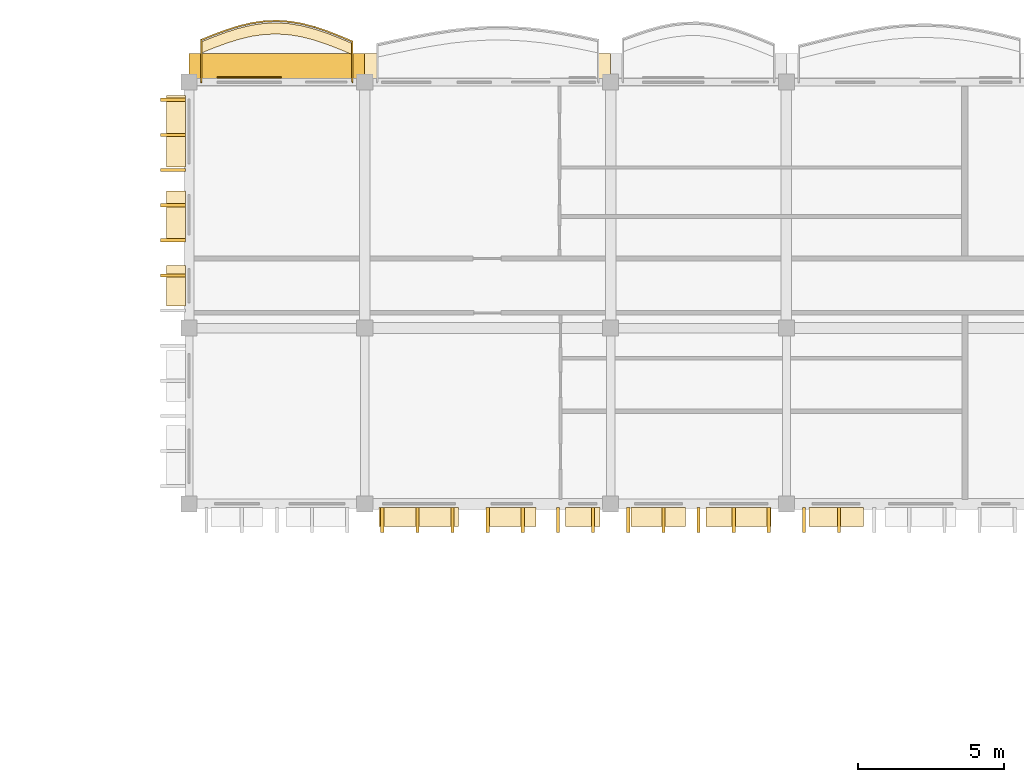
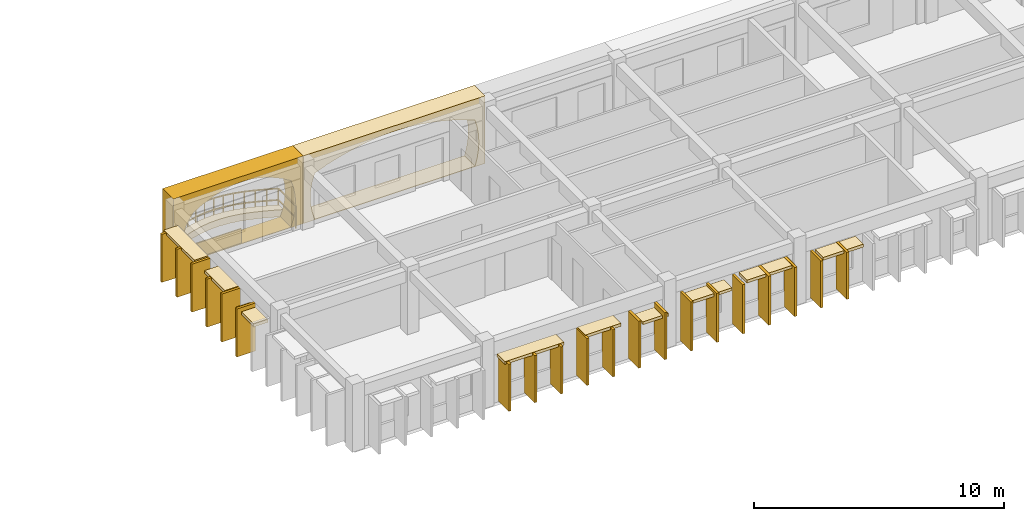
# One storey, part 46 of 59: 33 coverings, 1 railing.
"""IFC4 building model written with IfcOpenShell, lengths in metres."""

from ifc_helpers import new_model, si_unit, direction, frame, origin, origin_2d, place, context, subcontext, project, spatial, polyline, rectangle, outline, extrude, material, layer, layer_set, type_object, element, save


model = new_model("IFC4")

# Units and contexts
model_context = context("Model", 3, precision=1e-05, world=origin(), true_north=direction((0.0, 1.0)))
body_context = subcontext(model_context, "Body", "Model", "MODEL_VIEW")
ifc_project = project(units=[si_unit("LENGTHUNIT", "METRE"), si_unit("AREAUNIT", "SQUARE_METRE"), si_unit("VOLUMEUNIT", "CUBIC_METRE"), si_unit("PLANEANGLEUNIT", "RADIAN"), si_unit("MASSUNIT", "GRAM", prefix="KILO"), si_unit("THERMODYNAMICTEMPERATUREUNIT", "KELVIN")], contexts=[model_context])

# Site, building, storey
site_placement = place(None, origin())
site = spatial("IfcSite", under=ifc_project, at=site_placement, CompositionType="ELEMENT")
building_placement = place(site_placement, origin())
building = spatial("IfcBuilding", under=site, at=building_placement, Name="Thalorik Housing Commons", CompositionType="ELEMENT")
storey_placement = place(building_placement, frame((0.0, 0.0, 27.89990234375)))
storey = spatial("IfcBuildingStorey", under=building, at=storey_placement, Name="L08", CompositionType="ELEMENT", Elevation=27.89990234375)

# Coverings
ifc_material_1 = material(Name="Precast concrete C40/50", Category="concrete")
ifc_layer_1 = layer(ifc_material_1, 0.85009765625, Name="Precast concrete C40/50", Category="concrete")
ifc_layer_set_1 = layer_set([ifc_layer_1], Name="Precast concrete C40/50")
covering_type_1 = type_object("IfcCoveringType", Name="ARC-CLD-CUSH-850", PredefinedType="CLADDING", material=ifc_layer_set_1)
covering_1_placement = place(storey_placement, frame((90.60009765625, 124.1474609375, 0.0), z_axis=(0.0, 0.0, 1.0), x_axis=(-1.0, 0.0, 0.0)))
element("IfcCovering", 1, at=covering_1_placement, inside=storey, type_object=covering_type_1, Name="L08 White Precast Curved Cushion Bay Frame 2724", PredefinedType="CLADDING", context=body_context, shape_type="SweptSolid", body=[
    extrude(outline(polyline([(-4.199951171875, 0.0), (4.199951171875, 0.0), (4.199951171875, 3.300048828125), (-4.199951171875, 3.300048828125), (-4.199951171875, 0.0)]), holes=[polyline([(3.669677734375, 0.02490234375), (3.78173828125, 0.40087890625), (3.848876953125, 0.776611328125), (3.87109375, 1.152587890625), (3.848876953125, 1.5283203125), (3.78173828125, 1.904296875), (3.669677734375, 2.280029296875), (3.052978515625, 2.51123046875), (2.436279296875, 2.693115234375), (1.819580078125, 2.840087890625), (1.202880859375, 2.94970703125), (0.586181640625, 3.01708984375), (-0.030517578125, 3.0400390625), (-0.647216796875, 3.01708984375), (-1.263916015625, 2.94970703125), (-1.880615234375, 2.840087890625), (-2.497314453125, 2.693115234375), (-3.114013671875, 2.51123046875), (-3.730712890625, 2.280029296875), (-3.82958984375, 1.904296875), (-3.88916015625, 1.5283203125), (-3.908935546875, 1.152587890625), (-3.88916015625, 0.776611328125), (-3.82958984375, 0.40087890625), (-3.730712890625, 0.02490234375), (3.669677734375, 0.02490234375)])]), frame((0.0, 0.425048828125, 0.0), z_axis=(0.0, -1.0, 0.0), x_axis=(1.0, 0.0, 0.0)), (0.0, 0.0, 1.0), 0.85009765625),
])
covering_2_placement = place(storey_placement, frame((83.39990234375, 124.1474609375, 0.0), z_axis=(0.0, 0.0, 1.0), x_axis=(-1.0, 0.0, 0.0)))
element("IfcCovering", 2, at=covering_2_placement, inside=storey, type_object=covering_type_1, Name="L08 White Precast Curved Cushion Bay Frame 2726", PredefinedType="CLADDING", context=body_context, shape_type="SweptSolid", body=[
    extrude(outline(polyline([(-3.0, 0.0), (3.0, 0.0), (3.0, 3.300048828125), (-3.0, 3.300048828125), (-3.0, 0.0)]), holes=[polyline([(2.080078125, 0.02490234375), (2.341064453125, 0.404296875), (2.497802734375, 0.783203125), (2.550048828125, 1.16259765625), (2.497802734375, 1.541748046875), (2.341064453125, 1.9208984375), (2.080078125, 2.300048828125), (1.7041015625, 2.525390625), (1.328369140625, 2.7021484375), (0.952392578125, 2.845458984375), (0.57666015625, 2.951904296875), (0.20068359375, 3.017822265625), (-0.175048828125, 3.0400390625), (-0.55078125, 3.017822265625), (-0.9267578125, 2.951904296875), (-1.302490234375, 2.845458984375), (-1.67822265625, 2.7021484375), (-2.05419921875, 2.525390625), (-2.429931640625, 2.300048828125), (-2.55029296875, 1.9208984375), (-2.62255859375, 1.541748046875), (-2.646484375, 1.16259765625), (-2.62255859375, 0.783203125), (-2.55029296875, 0.404296875), (-2.429931640625, 0.02490234375), (2.080078125, 0.02490234375)])]), frame((0.0, 0.425048828125, 0.0), z_axis=(0.0, -1.0, 0.0), x_axis=(1.0, 0.0, 0.0)), (0.0, 0.0, 1.0), 0.85009765625),
])
ifc_layer_2 = layer(ifc_material_1, 0.85009765625, Name="Precast concrete C40/50", Category="concrete")
ifc_layer_set_2 = layer_set([ifc_layer_2], Name="Precast concrete C40/50")
covering_type_2 = type_object("IfcCoveringType", Name="ARC-CLD-FIN-850", PredefinedType="CLADDING", material=ifc_layer_set_2)
for number, where, z_axis, x_axis, name in (
    (3, (79.8525390625, 123.0, 0.0400390625), (0.0, 0.0, 1.0), (0.0, -1.0, 0.0), "L08 Courtyard Precast Vertical Brise-Soleil Fin 2728"),
    (4, (79.8525390625, 121.800048828125, 0.0400390625), (0.0, 0.0, 1.0), (0.0, -1.0, 0.0), "L08 Courtyard Precast Vertical Brise-Soleil Fin 2729"),
    (5, (79.8525390625, 120.60009765625, 0.0400390625), (0.0, 0.0, 1.0), (0.0, -1.0, 0.0), "L08 Courtyard Precast Vertical Brise-Soleil Fin 2730"),
    (6, (79.8525390625, 119.39990234375, 0.0400390625), (0.0, 0.0, 1.0), (0.0, -1.0, 0.0), "L08 Courtyard Precast Vertical Brise-Soleil Fin 2731"),
    (7, (79.8525390625, 118.199951171875, 0.0400390625), (0.0, 0.0, 1.0), (0.0, -1.0, 0.0), "L08 Courtyard Precast Vertical Brise-Soleil Fin 2732"),
    (8, (79.8525390625, 117.0, 0.0400390625), (0.0, 0.0, 1.0), (0.0, -1.0, 0.0), "L08 Courtyard Precast Vertical Brise-Soleil Fin 2733"),
):
    element("IfcCovering", number, at=place(storey_placement, frame(where, z_axis=z_axis, x_axis=x_axis)), inside=storey, type_object=covering_type_2, Name=name, PredefinedType="CLADDING", context=body_context, shape_type="SweptSolid", body=[
        extrude(rectangle(XDim=0.110107421875, YDim=0.85009765625, at=origin_2d()), origin(), (0.0, 0.0, 1.0), 2.344970703125),
    ])
for number, where, z_axis, x_axis, name in (
    (9, (87.0, 108.652587890625, 0.0400390625), (0.0, 0.0, 1.0), (1.0, 0.0, 0.0), "L08 Courtyard Precast Vertical Brise-Soleil Fin 2752"),
    (10, (88.199951171875, 108.652587890625, 0.0400390625), (0.0, 0.0, 1.0), (1.0, 0.0, 0.0), "L08 Courtyard Precast Vertical Brise-Soleil Fin 2753"),
    (11, (89.39990234375, 108.652587890625, 0.0400390625), (0.0, 0.0, 1.0), (1.0, 0.0, 0.0), "L08 Courtyard Precast Vertical Brise-Soleil Fin 2754"),
    (12, (90.60009765625, 108.652587890625, 0.0400390625), (0.0, 0.0, 1.0), (1.0, 0.0, 0.0), "L08 Courtyard Precast Vertical Brise-Soleil Fin 2755"),
    (13, (91.800048828125, 108.652587890625, 0.0400390625), (0.0, 0.0, 1.0), (1.0, 0.0, 0.0), "L08 Courtyard Precast Vertical Brise-Soleil Fin 2756"),
    (14, (93.0, 108.652587890625, 0.0400390625), (0.0, 0.0, 1.0), (1.0, 0.0, 0.0), "L08 Courtyard Precast Vertical Brise-Soleil Fin 2757"),
    (15, (94.199951171875, 108.652587890625, 0.0400390625), (0.0, 0.0, 1.0), (1.0, 0.0, 0.0), "L08 Courtyard Precast Vertical Brise-Soleil Fin 2758"),
):
    element("IfcCovering", number, at=place(storey_placement, frame(where, z_axis=z_axis, x_axis=x_axis)), inside=storey, type_object=covering_type_2, Name=name, PredefinedType="CLADDING", context=body_context, shape_type="SweptSolid", body=[
        extrude(rectangle(XDim=0.110107421875, YDim=0.85009765625, at=origin_2d()), origin(), (0.0, 0.0, 1.0), 2.294921875),
    ])
for number, where, z_axis, x_axis, name in (
    (16, (95.39990234375, 108.652587890625, 0.0400390625), (0.0, 0.0, 1.0), (1.0, 0.0, 0.0), "L08 Courtyard Precast Vertical Brise-Soleil Fin 2762"),
    (17, (96.60009765625, 108.652587890625, 0.0400390625), (0.0, 0.0, 1.0), (1.0, 0.0, 0.0), "L08 Courtyard Precast Vertical Brise-Soleil Fin 2763"),
    (18, (97.800048828125, 108.652587890625, 0.0400390625), (0.0, 0.0, 1.0), (1.0, 0.0, 0.0), "L08 Courtyard Precast Vertical Brise-Soleil Fin 2764"),
    (19, (99.0, 108.652587890625, 0.0400390625), (0.0, 0.0, 1.0), (1.0, 0.0, 0.0), "L08 Courtyard Precast Vertical Brise-Soleil Fin 2765"),
    (20, (100.199951171875, 108.652587890625, 0.0400390625), (0.0, 0.0, 1.0), (1.0, 0.0, 0.0), "L08 Courtyard Precast Vertical Brise-Soleil Fin 2766"),
):
    element("IfcCovering", number, at=place(storey_placement, frame(where, z_axis=z_axis, x_axis=x_axis)), inside=storey, type_object=covering_type_2, Name=name, PredefinedType="CLADDING", context=body_context, shape_type="SweptSolid", body=[
        extrude(rectangle(XDim=0.110107421875, YDim=0.85009765625, at=origin_2d()), origin(), (0.0, 0.0, 1.0), 2.39501953125),
    ])
for number, where, z_axis, x_axis, name in (
    (21, (101.39990234375, 108.652587890625, 0.0400390625), (0.0, 0.0, 1.0), (1.0, 0.0, 0.0), "L08 Courtyard Precast Vertical Brise-Soleil Fin 2769"),
    (22, (102.60009765625, 108.652587890625, 0.0400390625), (0.0, 0.0, 1.0), (1.0, 0.0, 0.0), "L08 Courtyard Precast Vertical Brise-Soleil Fin 2770"),
):
    element("IfcCovering", number, at=place(storey_placement, frame(where, z_axis=z_axis, x_axis=x_axis)), inside=storey, type_object=covering_type_2, Name=name, PredefinedType="CLADDING", context=body_context, shape_type="SweptSolid", body=[
        extrude(rectangle(XDim=0.110107421875, YDim=0.85009765625, at=origin_2d()), origin(), (0.0, 0.0, 1.0), 2.294921875),
    ])
ifc_layer_3 = layer(ifc_material_1, 0.64990234375, Name="Precast concrete C40/50", Category="concrete")
ifc_layer_set_3 = layer_set([ifc_layer_3], Name="Precast concrete C40/50")
covering_type_3 = type_object("IfcCoveringType", Name="ARC-CLD-HOOD-650", PredefinedType="CLADDING", material=ifc_layer_set_3)
covering_3_placement = place(storey_placement, frame((79.952392578125, 121.91748046875, 2.275390625), z_axis=(0.0, 0.0, 1.0), x_axis=(0.0, -1.0, 0.0)))
element("IfcCovering", 23, at=covering_3_placement, inside=storey, type_object=covering_type_3, Name="L08 Courtyard Precast Window Sun-Hood 2735", PredefinedType="CLADDING", context=body_context, shape_type="SweptSolid", body=[
    extrude(rectangle(XDim=2.43994140625, YDim=0.64990234375, at=origin_2d()), origin(), (0.0, 0.0, 1.0), 0.139892578125),
])
covering_4_placement = place(storey_placement, frame((79.952392578125, 119.072509765625, 2.27001953125), z_axis=(0.0, 0.0, 1.0), x_axis=(0.0, -1.0, 0.0)))
element("IfcCovering", 24, at=covering_4_placement, inside=storey, type_object=covering_type_3, Name="L08 Courtyard Precast Window Sun-Hood 2736", PredefinedType="CLADDING", context=body_context, shape_type="SweptSolid", body=[
    extrude(rectangle(XDim=1.6201171875, YDim=0.64990234375, at=origin_2d()), origin(), (0.0, 0.0, 1.0), 0.139892578125),
])
covering_5_placement = place(storey_placement, frame((79.952392578125, 116.64990234375, 2.0400390625), z_axis=(0.0, 0.0, 1.0), x_axis=(0.0, -1.0, 0.0)))
element("IfcCovering", 25, at=covering_5_placement, inside=storey, type_object=covering_type_3, Name="L08 Courtyard Precast Window Sun-Hood 2737", PredefinedType="CLADDING", context=body_context, shape_type="SweptSolid", body=[
    extrude(rectangle(XDim=1.389892578125, YDim=0.64990234375, at=origin_2d()), origin(), (0.0, 0.0, 1.0), 0.139892578125),
])
covering_6_placement = place(storey_placement, frame((88.24755859375, 108.75244140625, 2.22509765625), z_axis=(0.0, 0.0, 1.0), x_axis=(1.0, 0.0, 0.0)))
element("IfcCovering", 26, at=covering_6_placement, inside=storey, type_object=covering_type_3, Name="L08 Courtyard Precast Window Sun-Hood 2759", PredefinedType="CLADDING", context=body_context, shape_type="SweptSolid", body=[
    extrude(rectangle(XDim=2.719970703125, YDim=0.64990234375, at=origin_2d()), origin(), (0.0, 0.0, 1.0), 0.139892578125),
])
covering_7_placement = place(storey_placement, frame((91.422607421875, 108.75244140625, 2.22509765625), z_axis=(0.0, 0.0, 1.0), x_axis=(1.0, 0.0, 0.0)))
element("IfcCovering", 27, at=covering_7_placement, inside=storey, type_object=covering_type_3, Name="L08 Courtyard Precast Window Sun-Hood 2760", PredefinedType="CLADDING", context=body_context, shape_type="SweptSolid", body=[
    extrude(rectangle(XDim=1.639892578125, YDim=0.64990234375, at=origin_2d()), origin(), (0.0, 0.0, 1.0), 0.139892578125),
])
covering_8_placement = place(storey_placement, frame((93.844970703125, 108.75244140625, 1.93994140625), z_axis=(0.0, 0.0, 1.0), x_axis=(1.0, 0.0, 0.0)))
element("IfcCovering", 28, at=covering_8_placement, inside=storey, type_object=covering_type_3, Name="L08 Courtyard Precast Window Sun-Hood 2761", PredefinedType="CLADDING", context=body_context, shape_type="SweptSolid", body=[
    extrude(rectangle(XDim=1.18994140625, YDim=0.64990234375, at=origin_2d()), origin(), (0.0, 0.0, 1.0), 0.139892578125),
])
covering_9_placement = place(storey_placement, frame((96.429931640625, 108.75244140625, 2.169921875), z_axis=(0.0, 0.0, 1.0), x_axis=(1.0, 0.0, 0.0)))
element("IfcCovering", 29, at=covering_9_placement, inside=storey, type_object=covering_type_3, Name="L08 Courtyard Precast Window Sun-Hood 2767", PredefinedType="CLADDING", context=body_context, shape_type="SweptSolid", body=[
    extrude(rectangle(XDim=1.860107421875, YDim=0.64990234375, at=origin_2d()), origin(), (0.0, 0.0, 1.0), 0.139892578125),
])
covering_10_placement = place(storey_placement, frame((99.169921875, 108.75244140625, 2.2900390625), z_axis=(0.0, 0.0, 1.0), x_axis=(1.0, 0.0, 0.0)))
element("IfcCovering", 30, at=covering_10_placement, inside=storey, type_object=covering_type_3, Name="L08 Courtyard Precast Window Sun-Hood 2768", PredefinedType="CLADDING", context=body_context, shape_type="SweptSolid", body=[
    extrude(rectangle(XDim=2.219970703125, YDim=0.64990234375, at=origin_2d()), origin(), (0.0, 0.0, 1.0), 0.139892578125),
])
covering_11_placement = place(storey_placement, frame((102.50244140625, 108.75244140625, 2.169921875), z_axis=(0.0, 0.0, 1.0), x_axis=(1.0, 0.0, 0.0)))
element("IfcCovering", 31, at=covering_11_placement, inside=storey, type_object=covering_type_3, Name="L08 Courtyard Precast Window Sun-Hood 2776", PredefinedType="CLADDING", context=body_context, shape_type="SweptSolid", body=[
    extrude(rectangle(XDim=1.860107421875, YDim=0.64990234375, at=origin_2d()), origin(), (0.0, 0.0, 1.0), 0.139892578125),
])
ifc_material_2 = material(Name="Terracotta red mineral fibre-cement panel", Category="masonry")
ifc_layer_4 = layer(ifc_material_2, 0.054931640625, Name="Terracotta red mineral fibre-cement panel", Category="masonry")
ifc_layer_set_4 = layer_set([ifc_layer_4], Name="Terracotta red mineral fibre-cement panel")
covering_type_4 = type_object("IfcCoveringType", Name="ARC-CLD-RED-55", PredefinedType="CLADDING", material=ifc_layer_set_4)
covering_12_placement = place(storey_placement, frame((82.4599609375, 123.7548828125, 0.05029296875), z_axis=(0.0, 0.0, 1.0), x_axis=(-1.0, 0.0, 0.0)))
element("IfcCovering", 32, at=covering_12_placement, inside=storey, type_object=covering_type_4, Name="L08 De Stijl Recessed Window Spandrel 2727", PredefinedType="CLADDING", context=body_context, shape_type="SweptSolid", body=[
    extrude(rectangle(XDim=2.179931640625, YDim=0.054931640625, at=origin_2d()), origin(), (0.0, 0.0, 1.0), 0.699951171875),
])
ifc_material_3 = material(Name="Planted vegetated substrate and terracotta trough", Category="masonry")
ifc_layer_5 = layer(ifc_material_3, 0.340087890625, Name="Planted vegetated substrate and terracotta trough", Category="masonry")
ifc_layer_set_5 = layer_set([ifc_layer_5], Name="Planted vegetated substrate and terracotta trough")
covering_type_5 = type_object("IfcCoveringType", Name="ARC-COV-PLANTER", PredefinedType="USERDEFINED", material=ifc_layer_set_5)
covering_13_placement = place(storey_placement, origin())
element("IfcCovering", 33, at=covering_13_placement, inside=storey, type_object=covering_type_5, Name="L08 Balcony Slab-Edge Planted Trough 5512", ObjectType="PLANTER", PredefinedType="USERDEFINED", context=body_context, shape_type="SweptSolid", body=[
    extrude(outline(polyline([(85.97998046875, 124.920654296875), (85.550048828125, 125.1005859375), (85.1201171875, 125.26806640625), (84.68994140625, 125.41259765625), (84.260009765625, 125.524658203125), (83.830078125, 125.597412109375), (83.39990234375, 125.6259765625), (82.969970703125, 125.60888671875), (82.5400390625, 125.547119140625), (82.110107421875, 125.4453125), (81.679931640625, 125.31005859375), (81.25, 125.150146484375), (80.820068359375, 124.976318359375), (80.820068359375, 124.59619140625), (81.25, 124.770263671875), (81.679931640625, 124.93017578125), (82.110107421875, 125.0654296875), (82.5400390625, 125.167236328125), (82.969970703125, 125.228759765625), (83.39990234375, 125.245849609375), (83.830078125, 125.21728515625), (84.260009765625, 125.144775390625), (84.68994140625, 125.032470703125), (85.1201171875, 124.88818359375), (85.550048828125, 124.720458984375), (85.97998046875, 124.540771484375), (85.97998046875, 124.920654296875)])), origin(), (0.0, 0.0, 1.0), 0.340087890625),
])

# Railing
ifc_material_4 = material(Name="Steel S355", Category="steel")
railing_type = type_object("IfcRailingType", Name="ARC-RL-BAL-112", PredefinedType="BALUSTRADE", material=ifc_material_4)
railing_placement = place(storey_placement, frame((85.97998046875, 123.60009765625, 0.0)))
element("IfcRailing", 34, at=railing_placement, inside=storey, type_object=railing_type, Name="L08 Cushion Balcony Guardrail 196", PredefinedType="BALUSTRADE", context=body_context, shape_type="SweptSolid", body=[
    extrude(rectangle(XDim=0.050048828125, YDim=0.050048828125, at=origin_2d()), frame((0.0, 0.0, 1.09521484375), z_axis=(0.0, 1.0, 0.0), x_axis=(-1.0, 0.0, 0.0)), (0.0, 0.0, 1.0), 1.390625),
    extrude(rectangle(XDim=0.050048828125, YDim=0.050048828125, at=origin_2d()), frame((0.0, 0.0, 0.53515625), z_axis=(0.0, 1.0, 0.0), x_axis=(-1.0, 0.0, 0.0)), (0.0, 0.0, 1.0), 1.390625),
    extrude(rectangle(XDim=0.050048828125, YDim=0.050048828125, at=origin_2d()), frame((0.0, 1.390625, 1.09521484375), z_axis=(-0.922657844822, 0.385619633043, 0.0), x_axis=(-0.385619633043, -0.922657844822, 0.0)), (0.0, 0.0, 1.0), 0.466064453125),
    extrude(rectangle(XDim=0.050048828125, YDim=0.050048828125, at=origin_2d()), frame((0.0, 1.390625, 0.53515625), z_axis=(-0.922657844822, 0.385619633043, 0.0), x_axis=(-0.385619633043, -0.922657844822, 0.0)), (0.0, 0.0, 1.0), 0.466064453125),
    extrude(rectangle(XDim=0.050048828125, YDim=0.050048828125, at=origin_2d()), frame((-0.429931640625, 1.5703125, 1.09521484375), z_axis=(-0.931616942852, 0.363441703429, 0.0), x_axis=(-0.363441703429, -0.931616942852, 0.0)), (0.0, 0.0, 1.0), 0.46142578125),
    extrude(rectangle(XDim=0.050048828125, YDim=0.050048828125, at=origin_2d()), frame((-0.429931640625, 1.5703125, 0.53515625), z_axis=(-0.931616942852, 0.363441703429, 0.0), x_axis=(-0.363441703429, -0.931616942852, 0.0)), (0.0, 0.0, 1.0), 0.46142578125),
    extrude(rectangle(XDim=0.050048828125, YDim=0.050048828125, at=origin_2d()), frame((-0.85986328125, 1.738037109375, 1.09521484375), z_axis=(-0.948089752806, 0.318002862604, 0.0), x_axis=(-0.318002862604, -0.948089752806, 0.0)), (0.0, 0.0, 1.0), 0.45361328125),
    extrude(rectangle(XDim=0.050048828125, YDim=0.050048828125, at=origin_2d()), frame((-0.85986328125, 1.738037109375, 0.53515625), z_axis=(-0.948089752806, 0.318002862604, 0.0), x_axis=(-0.318002862604, -0.948089752806, 0.0)), (0.0, 0.0, 1.0), 0.45361328125),
    extrude(rectangle(XDim=0.050048828125, YDim=0.050048828125, at=origin_2d()), frame((-1.2900390625, 1.88232421875, 1.09521484375), z_axis=(-0.967535537468, 0.252735006948, 0.0), x_axis=(-0.252735006948, -0.967535537468, 0.0)), (0.0, 0.0, 1.0), 0.4443359375),
    extrude(rectangle(XDim=0.050048828125, YDim=0.050048828125, at=origin_2d()), frame((-1.2900390625, 1.88232421875, 0.53515625), z_axis=(-0.967535537468, 0.252735006948, 0.0), x_axis=(-0.252735006948, -0.967535537468, 0.0)), (0.0, 0.0, 1.0), 0.4443359375),
    extrude(rectangle(XDim=0.050048828125, YDim=0.050048828125, at=origin_2d()), frame((-1.719970703125, 1.99462890625, 1.09521484375), z_axis=(-0.986074270485, 0.16630554136, 0.0), x_axis=(-0.16630554136, -0.986074270485, 0.0)), (0.0, 0.0, 1.0), 0.43603515625),
    extrude(rectangle(XDim=0.050048828125, YDim=0.050048828125, at=origin_2d()), frame((-1.719970703125, 1.99462890625, 0.53515625), z_axis=(-0.986074270485, 0.16630554136, 0.0), x_axis=(-0.16630554136, -0.986074270485, 0.0)), (0.0, 0.0, 1.0), 0.43603515625),
    extrude(rectangle(XDim=0.050048828125, YDim=0.050048828125, at=origin_2d()), frame((-2.14990234375, 2.067138671875, 1.09521484375), z_axis=(-0.997802663119, 0.066255908959, 0.0), x_axis=(-0.066255908959, -0.997802663119, 0.0)), (0.0, 0.0, 1.0), 0.43115234375),
    extrude(rectangle(XDim=0.050048828125, YDim=0.050048828125, at=origin_2d()), frame((-2.14990234375, 2.067138671875, 0.53515625), z_axis=(-0.997802663119, 0.066255908959, 0.0), x_axis=(-0.066255908959, -0.997802663119, 0.0)), (0.0, 0.0, 1.0), 0.43115234375),
    extrude(rectangle(XDim=0.050048828125, YDim=0.050048828125, at=origin_2d()), frame((-2.580078125, 2.095703125, 1.09521484375), z_axis=(-0.999210898113, -0.039718775053, 0.0), x_axis=(0.039718775053, -0.999210898113, 0.0)), (0.0, 0.0, 1.0), 0.43017578125),
    extrude(rectangle(XDim=0.050048828125, YDim=0.050048828125, at=origin_2d()), frame((-2.580078125, 2.095703125, 0.53515625), z_axis=(-0.999210898113, -0.039718775053, 0.0), x_axis=(0.039718775053, -0.999210898113, 0.0)), (0.0, 0.0, 1.0), 0.43017578125),
    extrude(rectangle(XDim=0.050048828125, YDim=0.050048828125, at=origin_2d()), frame((-3.010009765625, 2.07861328125, 1.09521484375), z_axis=(-0.989915737544, -0.141657447962, 0.0), x_axis=(0.141657447962, -0.989915737544, 0.0)), (0.0, 0.0, 1.0), 0.434326171875),
    extrude(rectangle(XDim=0.050048828125, YDim=0.050048828125, at=origin_2d()), frame((-3.010009765625, 2.07861328125, 0.53515625), z_axis=(-0.989915737544, -0.141657447962, 0.0), x_axis=(0.141657447962, -0.989915737544, 0.0)), (0.0, 0.0, 1.0), 0.434326171875),
    extrude(rectangle(XDim=0.050048828125, YDim=0.050048828125, at=origin_2d()), frame((-3.43994140625, 2.01708984375, 1.09521484375), z_axis=(-0.973090069964, -0.230425076192, 0.0), x_axis=(0.230425076192, -0.973090069964, 0.0)), (0.0, 0.0, 1.0), 0.44189453125),
    extrude(rectangle(XDim=0.050048828125, YDim=0.050048828125, at=origin_2d()), frame((-3.43994140625, 2.01708984375, 0.53515625), z_axis=(-0.973090069964, -0.230425076192, 0.0), x_axis=(0.230425076192, -0.973090069964, 0.0)), (0.0, 0.0, 1.0), 0.44189453125),
    extrude(rectangle(XDim=0.050048828125, YDim=0.050048828125, at=origin_2d()), frame((-3.869873046875, 1.915283203125, 1.09521484375), z_axis=(-0.953958313689, -0.299939220082, 0.0), x_axis=(0.299939220082, -0.953958313689, 0.0)), (0.0, 0.0, 1.0), 0.450927734375),
    extrude(rectangle(XDim=0.050048828125, YDim=0.050048828125, at=origin_2d()), frame((-3.869873046875, 1.915283203125, 0.53515625), z_axis=(-0.953958313689, -0.299939220082, 0.0), x_axis=(0.299939220082, -0.953958313689, 0.0)), (0.0, 0.0, 1.0), 0.450927734375),
    extrude(rectangle(XDim=0.050048828125, YDim=0.050048828125, at=origin_2d()), frame((-4.300048828125, 1.780029296875, 1.09521484375), z_axis=(-0.93726634386, -0.348614114269, 0.0), x_axis=(0.348614114269, -0.93726634386, 0.0)), (0.0, 0.0, 1.0), 0.458740234375),
    extrude(rectangle(XDim=0.050048828125, YDim=0.050048828125, at=origin_2d()), frame((-4.300048828125, 1.780029296875, 0.53515625), z_axis=(-0.93726634386, -0.348614114269, 0.0), x_axis=(0.348614114269, -0.93726634386, 0.0)), (0.0, 0.0, 1.0), 0.458740234375),
    extrude(rectangle(XDim=0.050048828125, YDim=0.050048828125, at=origin_2d()), frame((-4.72998046875, 1.6201171875, 1.09521484375), z_axis=(-0.927090603985, -0.374837314047, 0.0), x_axis=(0.374837314047, -0.927090603985, 0.0)), (0.0, 0.0, 1.0), 0.463623046875),
    extrude(rectangle(XDim=0.050048828125, YDim=0.050048828125, at=origin_2d()), frame((-4.72998046875, 1.6201171875, 0.53515625), z_axis=(-0.927090603985, -0.374837314047, 0.0), x_axis=(0.374837314047, -0.927090603985, 0.0)), (0.0, 0.0, 1.0), 0.463623046875),
    extrude(rectangle(XDim=0.050048828125, YDim=0.050048828125, at=origin_2d()), frame((-5.159912109375, 1.4462890625, 1.09521484375), z_axis=(0.0, -1.0, 0.0), x_axis=(1.0, 0.0, 0.0)), (0.0, 0.0, 1.0), 1.4462890625),
    extrude(rectangle(XDim=0.050048828125, YDim=0.050048828125, at=origin_2d()), frame((-5.159912109375, 1.4462890625, 0.53515625), z_axis=(0.0, -1.0, 0.0), x_axis=(1.0, 0.0, 0.0)), (0.0, 0.0, 1.0), 1.4462890625),
    extrude(rectangle(XDim=0.0419921875, YDim=0.0419921875, at=origin_2d()), origin(), (0.0, 0.0, 1.0), 1.070068359375),
    extrude(rectangle(XDim=0.0419921875, YDim=0.0419921875, at=origin_2d()), frame((0.0, 1.390625, 0.0)), (0.0, 0.0, 1.0), 1.070068359375),
    extrude(rectangle(XDim=0.0419921875, YDim=0.0419921875, at=origin_2d()), frame((-0.429931640625, 1.5703125, 0.0)), (0.0, 0.0, 1.0), 1.070068359375),
    extrude(rectangle(XDim=0.0419921875, YDim=0.0419921875, at=origin_2d()), frame((-0.85986328125, 1.738037109375, 0.0)), (0.0, 0.0, 1.0), 1.070068359375),
    extrude(rectangle(XDim=0.0419921875, YDim=0.0419921875, at=origin_2d()), frame((-1.2900390625, 1.88232421875, 0.0)), (0.0, 0.0, 1.0), 1.070068359375),
    extrude(rectangle(XDim=0.0419921875, YDim=0.0419921875, at=origin_2d()), frame((-1.719970703125, 1.99462890625, 0.0)), (0.0, 0.0, 1.0), 1.070068359375),
    extrude(rectangle(XDim=0.0419921875, YDim=0.0419921875, at=origin_2d()), frame((-2.14990234375, 2.067138671875, 0.0)), (0.0, 0.0, 1.0), 1.070068359375),
    extrude(rectangle(XDim=0.0419921875, YDim=0.0419921875, at=origin_2d()), frame((-2.580078125, 2.095703125, 0.0)), (0.0, 0.0, 1.0), 1.070068359375),
    extrude(rectangle(XDim=0.0419921875, YDim=0.0419921875, at=origin_2d()), frame((-3.010009765625, 2.07861328125, 0.0)), (0.0, 0.0, 1.0), 1.070068359375),
    extrude(rectangle(XDim=0.0419921875, YDim=0.0419921875, at=origin_2d()), frame((-3.43994140625, 2.01708984375, 0.0)), (0.0, 0.0, 1.0), 1.070068359375),
    extrude(rectangle(XDim=0.0419921875, YDim=0.0419921875, at=origin_2d()), frame((-3.869873046875, 1.915283203125, 0.0)), (0.0, 0.0, 1.0), 1.070068359375),
    extrude(rectangle(XDim=0.0419921875, YDim=0.0419921875, at=origin_2d()), frame((-4.300048828125, 1.780029296875, 0.0)), (0.0, 0.0, 1.0), 1.070068359375),
    extrude(rectangle(XDim=0.0419921875, YDim=0.0419921875, at=origin_2d()), frame((-4.72998046875, 1.6201171875, 0.0)), (0.0, 0.0, 1.0), 1.070068359375),
    extrude(rectangle(XDim=0.0419921875, YDim=0.0419921875, at=origin_2d()), frame((-5.159912109375, 1.4462890625, 0.0)), (0.0, 0.0, 1.0), 1.070068359375),
    extrude(rectangle(XDim=0.0419921875, YDim=0.0419921875, at=origin_2d()), frame((-5.159912109375, 0.0, 0.0)), (0.0, 0.0, 1.0), 1.070068359375),
])

save(model, "model.ifc")
